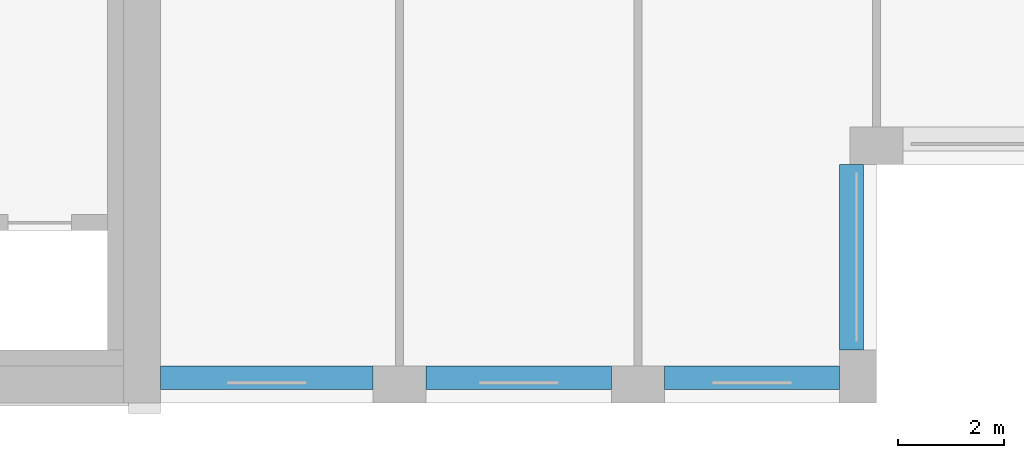
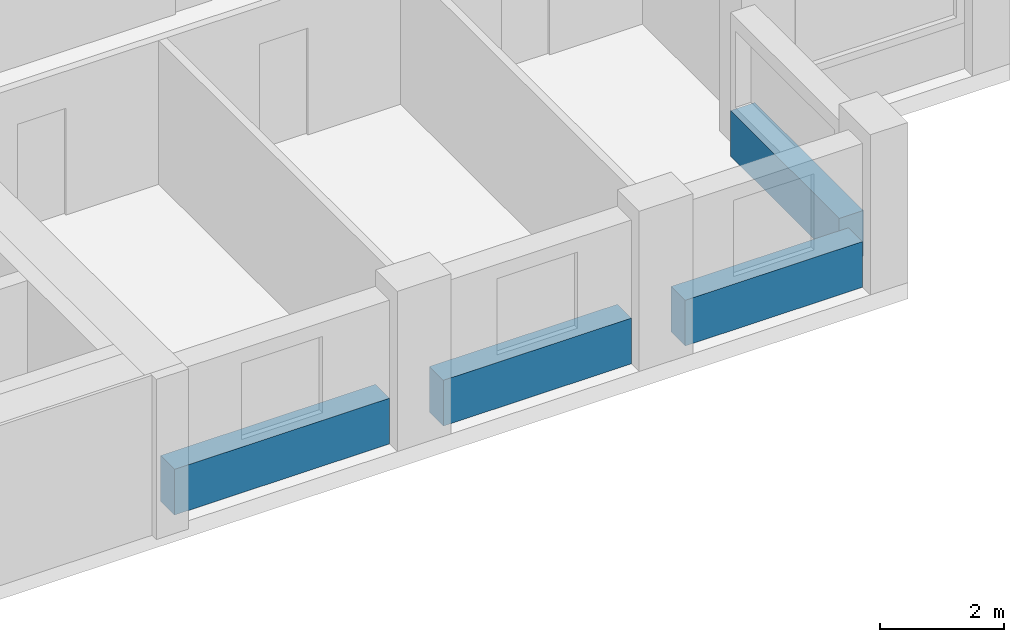
# One storey, part 3 of 15: 4 beams.
"""IFC4 building model written with IfcOpenShell, lengths in metres."""

from ifc_helpers import new_model, si_unit, direction, frame, origin, origin_2d, place, context, subcontext, project, spatial, rectangle, extrude, material, material_profile, profile_set, type_object, element, save


model = new_model("IFC4")

# Units and contexts
model_context = context("Model", 3, precision=1e-05, world=origin(), true_north=direction((0.0, 1.0)))
body_context = subcontext(model_context, "Body", "Model", "MODEL_VIEW")
ifc_project = project(units=[si_unit("LENGTHUNIT", "METRE"), si_unit("AREAUNIT", "SQUARE_METRE"), si_unit("VOLUMEUNIT", "CUBIC_METRE"), si_unit("PLANEANGLEUNIT", "RADIAN"), si_unit("MASSUNIT", "GRAM", prefix="KILO")], contexts=[model_context])

# Site, building, storey
site_placement = place(None, origin())
site = spatial("IfcSite", under=ifc_project, at=site_placement, CompositionType="ELEMENT")
building_placement = place(site_placement, origin())
building = spatial("IfcBuilding", under=site, at=building_placement, Name="Brigalow Station Residences", CompositionType="ELEMENT")
storey_placement = place(building_placement, frame((0.0, 0.0, 172.800048828125)))
storey = spatial("IfcBuildingStorey", under=building, at=storey_placement, Name="L50", CompositionType="ELEMENT", Elevation=172.800048828125)

# Beams
ifc_material = material(Name="Concrete C50", Category="concrete")
ifc_material_profile = material_profile(ifc_material, rectangle(XDim=0.449951171875, YDim=0.89990234375, at=origin_2d()), Name="RC450x900")
ifc_profile_set = profile_set([ifc_material_profile], Name="Concrete C50")
beam_type = type_object("IfcBeamType", Name="SPANDREL BEAM 450x900 C50", PredefinedType="SPANDREL", material=ifc_profile_set)
beam_1_placement = place(storey_placement, frame((54.0, 0.47509765625, 0.449951171875), z_axis=(1.0, 0.0, 0.0), x_axis=(0.0, 1.0, 0.0)))
element("IfcBeam", 1, at=beam_1_placement, inside=storey, type_object=beam_type, Name="L50/spandrel/W-L50-4", PredefinedType="SPANDREL", context=body_context, shape_type="SweptSolid", body=[
    extrude(rectangle(XDim=0.449951171875, YDim=0.89990234375, at=origin_2d()), origin(), (0.0, 0.0, 1.0), 4.0),
])
beam_2_placement = place(storey_placement, frame((59.0, 0.47509765625, 0.449951171875), z_axis=(1.0, 0.0, 0.0), x_axis=(0.0, 1.0, 0.0)))
element("IfcBeam", 2, at=beam_2_placement, inside=storey, type_object=beam_type, Name="L50/spandrel/W-L50-5", PredefinedType="SPANDREL", context=body_context, shape_type="SweptSolid", body=[
    extrude(rectangle(XDim=0.449951171875, YDim=0.89990234375, at=origin_2d()), origin(), (0.0, 0.0, 1.0), 3.5),
])
beam_3_placement = place(storey_placement, frame((63.5, 0.47509765625, 0.449951171875), z_axis=(1.0, 0.0, 0.0), x_axis=(0.0, 1.0, 0.0)))
element("IfcBeam", 3, at=beam_3_placement, inside=storey, type_object=beam_type, Name="L50/spandrel/W-L50-6", PredefinedType="SPANDREL", context=body_context, shape_type="SweptSolid", body=[
    extrude(rectangle(XDim=0.449951171875, YDim=0.89990234375, at=origin_2d()), origin(), (0.0, 0.0, 1.0), 3.300048828125),
])
beam_4_placement = place(storey_placement, frame((67.02490234375, 1.0, 0.449951171875), z_axis=(0.0, 1.0, 0.0), x_axis=(-1.0, 0.0, 0.0)))
element("IfcBeam", 4, at=beam_4_placement, inside=storey, type_object=beam_type, Name="L50/spandrel/W-L50-7", PredefinedType="SPANDREL", context=body_context, shape_type="SweptSolid", body=[
    extrude(rectangle(XDim=0.449951171875, YDim=0.89990234375, at=origin_2d()), origin(), (0.0, 0.0, 1.0), 3.5),
])

save(model, "model.ifc")
